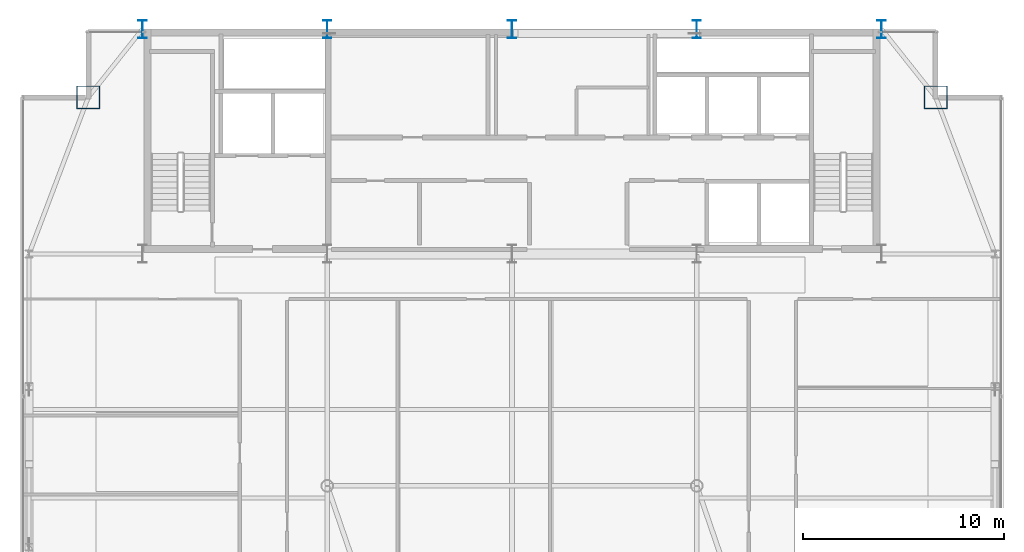
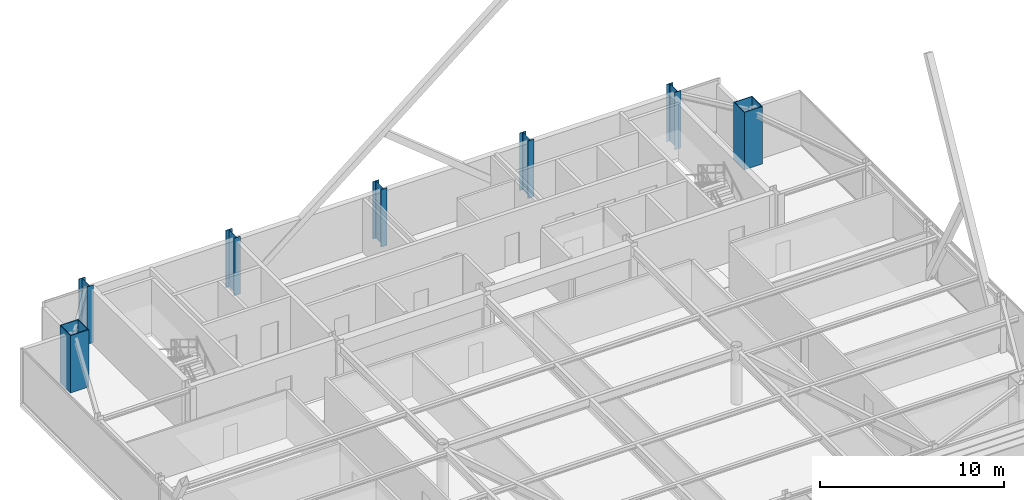
# One storey, part 3 of 31: 7 columns.
"""IFC4 building model written with IfcOpenShell, lengths in metres."""

from ifc_helpers import new_model, si_unit, direction, frame, origin, origin_2d, place, context, subcontext, project, spatial, hollow_rectangle, i_section, extrude, source, transform, mapped, material, material_profile, profile_set, type_object, type_shapes, element, save


model = new_model("IFC4")

# Units and contexts
model_context = context("Model", 3, precision=1e-05, world=origin(), true_north=direction((0.0, 1.0)))
body_context = subcontext(model_context, "Body", "Model", "MODEL_VIEW")
ifc_project = project(units=[si_unit("LENGTHUNIT", "METRE"), si_unit("AREAUNIT", "SQUARE_METRE"), si_unit("VOLUMEUNIT", "CUBIC_METRE"), si_unit("PLANEANGLEUNIT", "RADIAN"), si_unit("MASSUNIT", "GRAM", prefix="KILO")], contexts=[model_context])

# Site, building, storey
site_placement = place(None, origin())
site = spatial("IfcSite", under=ifc_project, at=site_placement, CompositionType="ELEMENT")
building_placement = place(site_placement, origin())
building = spatial("IfcBuilding", under=site, at=building_placement, Name="Varnel Quay Broadcast Tower", CompositionType="ELEMENT")
storey_placement = place(building_placement, frame((0.0, 0.0, 215.0)))
storey = spatial("IfcBuildingStorey", under=building, at=storey_placement, Name="L53", CompositionType="ELEMENT", Elevation=215.0)

# Columns
ifc_material = material(Name="Structural Steel CSA G40.21 350WT", Category="steel")
ifc_material_profile_1 = material_profile(ifc_material, i_section(OverallWidth=0.39990234375, OverallDepth=0.89990234375, WebThickness=0.01611328125, FlangeThickness=0.028076171875, FilletRadius=0.01611328125, at=origin_2d()), Name="WWF900X309")
ifc_profile_set_1 = profile_set([ifc_material_profile_1], Name="Structural Steel CSA G40.21 350WT")
column_type_1 = type_object("IfcColumnType", Name="Col_WWF900X309", PredefinedType="COLUMN", material=ifc_profile_set_1)
shared_shape_1 = source(origin(), body_context, "Body", "SweptSolid", [
    extrude(i_section(OverallWidth=0.39990234375, OverallDepth=0.89990234375, WebThickness=0.01611328125, FlangeThickness=0.028076171875, FilletRadius=0.01611328125, at=origin_2d()), origin(), (0.0, 0.0, 1.0), 3.800048828125),
])
type_shapes(column_type_1, [shared_shape_1])
for number, where, z_axis, x_axis, name in (
    (1, (15.60009765625, 46.800048828125, 0.0), (0.0, 0.0, 1.0), (1.0, 0.0, 0.0), "L53 Column CC-N1"),
    (2, (24.800048828125, 46.800048828125, 0.0), (0.0, 0.0, 1.0), (1.0, 0.0, 0.0), "L53 Column CC-N2"),
    (3, (34.0, 46.800048828125, 0.0), (0.0, 0.0, 1.0), (1.0, 0.0, 0.0), "L53 Column CC-N3"),
    (4, (43.199951171875, 46.800048828125, 0.0), (0.0, 0.0, 1.0), (1.0, 0.0, 0.0), "L53 Column CC-N4"),
    (5, (52.39990234375, 46.800048828125, 0.0), (0.0, 0.0, 1.0), (1.0, 0.0, 0.0), "L53 Column CC-N5"),
):
    element("IfcColumn", number, at=place(storey_placement, frame(where, z_axis=z_axis, x_axis=x_axis)), inside=storey, type_object=column_type_1, Name=name, PredefinedType="COLUMN", context=body_context, shape_type="MappedRepresentation", body=[
        mapped(shared_shape_1, transform((0.0, 0.0, 0.0), x_axis=(1.0, 0.0, 0.0), y_axis=(0.0, 1.0, 0.0), z_axis=(0.0, 0.0, 1.0), scale=1.0)),
    ])
ifc_material_profile_2 = material_profile(ifc_material, hollow_rectangle(XDim=1.14990234375, YDim=1.14990234375, WallThickness=0.044921875, at=origin_2d()), Name="BOX1150X1150X45")
ifc_profile_set_2 = profile_set([ifc_material_profile_2], Name="Structural Steel CSA G40.21 350WT")
column_type_2 = type_object("IfcColumnType", Name="Col_BOX1150X1150X45", PredefinedType="COLUMN", material=ifc_profile_set_2)
shared_shape_2 = source(origin(), body_context, "Body", "SweptSolid", [
    extrude(hollow_rectangle(XDim=1.14990234375, YDim=1.14990234375, WallThickness=0.044921875, at=origin_2d()), origin(), (0.0, 0.0, 1.0), 3.800048828125),
])
type_shapes(column_type_2, [shared_shape_2])
for number, where, z_axis, x_axis, name in (
    (6, (55.10009765625, 43.39990234375, 0.0), (0.0, 0.0, 1.0), (1.0, 0.0, 0.0), "L53 Column MC-NE"),
    (7, (12.89990234375, 43.39990234375, 0.0), (0.0, 0.0, 1.0), (1.0, 0.0, 0.0), "L53 Column MC-NW"),
):
    element("IfcColumn", number, at=place(storey_placement, frame(where, z_axis=z_axis, x_axis=x_axis)), inside=storey, type_object=column_type_2, Name=name, PredefinedType="COLUMN", context=body_context, shape_type="MappedRepresentation", body=[
        mapped(shared_shape_2, transform((0.0, 0.0, 0.0), x_axis=(1.0, 0.0, 0.0), y_axis=(0.0, 1.0, 0.0), z_axis=(0.0, 0.0, 1.0), scale=1.0)),
    ])

save(model, "model.ifc")
